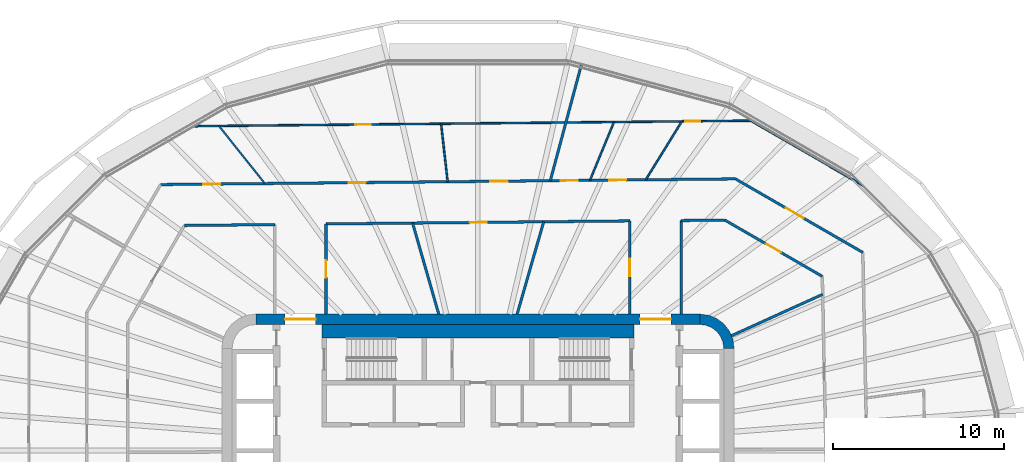
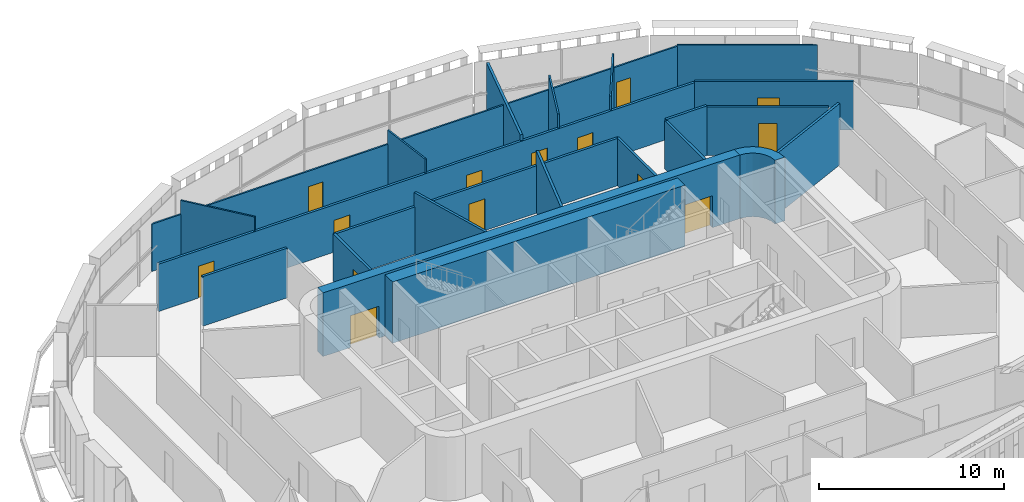
# One storey, part 15 of 23: 22 walls, 14 doors, 14 openings.
"""IFC4 building model written with IfcOpenShell, lengths in metres."""

from ifc_helpers import new_model, si_unit, direction, frame, frame_2d, origin, place, context, subcontext, project, spatial, polyline, rectangle, outline, extrude, material, layer, layer_set, type_object, element, fill, save


model = new_model("IFC4")

# Units and contexts
model_context = context("Model", 3, precision=1e-05, world=origin(), true_north=direction((0.0, 1.0)))
body_context = subcontext(model_context, "Body", "Model", "MODEL_VIEW")
ifc_project = project(units=[si_unit("LENGTHUNIT", "METRE"), si_unit("AREAUNIT", "SQUARE_METRE"), si_unit("VOLUMEUNIT", "CUBIC_METRE"), si_unit("PLANEANGLEUNIT", "RADIAN"), si_unit("MASSUNIT", "GRAM", prefix="KILO")], contexts=[model_context])

# Site, building, storey
site_placement = place(None, origin())
site = spatial("IfcSite", under=ifc_project, at=site_placement, CompositionType="ELEMENT")
building_placement = place(site_placement, origin())
building = spatial("IfcBuilding", under=site, at=building_placement, Name="Sahrelin Media Tower", CompositionType="ELEMENT")
storey_placement = place(building_placement, frame((0.0, 0.0, 54.60009765625)))
storey = spatial("IfcBuildingStorey", under=building, at=storey_placement, Name="L08", CompositionType="ELEMENT", Elevation=54.60009765625)

# Wall, openings, doors
ifc_material_1 = material(Name="Concrete C60/75", Category="concrete")
ifc_layer_1 = layer(ifc_material_1, 0.60009765625)
ifc_layer_set_1 = layer_set([ifc_layer_1], Name="Core wall 600")
wall_type_1 = type_object("IfcWallType", Name="Core wall 600", PredefinedType="SHEAR", material=ifc_layer_set_1)
wall_1_placement = place(storey_placement, frame((-13.0, 7.699951171875, 0.0), z_axis=(0.0, 0.0, 1.0), x_axis=(1.0, 0.0, 0.0)))
wall_1 = element("IfcWall", 1, at=wall_1_placement, inside=storey, type_object=wall_type_1, Name="Core wall N L08", PredefinedType="SHEAR", context=body_context, shape_type="SweptSolid", body=[
    extrude(rectangle(XDim=26.0, YDim=0.60009765625, at=frame_2d((13.0, 0.0))), origin(), (0.0, 0.0, 1.0), 4.199951171875),
])
opening_1_placement = place(wall_1_placement, frame((1.699951171875, 0.0, 0.0)))
opening_1 = element("IfcOpeningElement", 2, at=opening_1_placement, cuts=wall_1, Name="Opening L08-D19", PredefinedType="OPENING", context=body_context, shape_type="SweptSolid", body=[
    extrude(rectangle(XDim=1.800048828125, YDim=2.10009765625, at=frame_2d((0.89990234375, 1.050048828125))), frame((0.0, 0.300048828125, 0.0), z_axis=(0.0, -1.0, 0.0), x_axis=(1.0, 0.0, 0.0)), (0.0, 0.0, 1.0), 0.60009765625),
])
opening_2_placement = place(wall_1_placement, frame((22.5, 0.0, 0.0)))
opening_2 = element("IfcOpeningElement", 3, at=opening_2_placement, cuts=wall_1, Name="Opening L08-D20", PredefinedType="OPENING", context=body_context, shape_type="SweptSolid", body=[
    extrude(rectangle(XDim=1.800048828125, YDim=2.10009765625, at=frame_2d((0.89990234375, 1.050048828125))), frame((0.0, 0.300048828125, 0.0), z_axis=(0.0, -1.0, 0.0), x_axis=(1.0, 0.0, 0.0)), (0.0, 0.0, 1.0), 0.60009765625),
])
ifc_material_2 = material(Name="Steel fire door leaf", Category="steel")
door_type_1 = type_object("IfcDoorType", Name="Lobby double door 1800 x 2100 EI 60", OperationType="DOUBLE_DOOR_SINGLE_SWING", PredefinedType="DOOR", material=ifc_material_2)
door_1_placement = place(opening_1_placement, origin())
door_1 = element("IfcDoor", 4, at=door_1_placement, inside=storey, type_object=door_type_1, Name="Lobby door", OperationType="DOUBLE_DOOR_SINGLE_SWING", OverallHeight=2.10009765625, OverallWidth=1.800048828125, PredefinedType="DOOR", context=body_context, shape_type="SweptSolid", body=[
    extrude(rectangle(XDim=1.800048828125, YDim=2.10009765625, at=frame_2d((0.89990234375, 1.050048828125))), frame((0.0, 0.02490234375, 0.0), z_axis=(0.0, -1.0, 0.0), x_axis=(1.0, 0.0, 0.0)), (0.0, 0.0, 1.0), 0.050048828125),
])
fill(opening_1, door_1)
door_2_placement = place(opening_2_placement, origin())
door_2 = element("IfcDoor", 5, at=door_2_placement, inside=storey, type_object=door_type_1, Name="Lobby door", OperationType="DOUBLE_DOOR_SINGLE_SWING", OverallHeight=2.10009765625, OverallWidth=1.800048828125, PredefinedType="DOOR", context=body_context, shape_type="SweptSolid", body=[
    extrude(rectangle(XDim=1.800048828125, YDim=2.10009765625, at=frame_2d((0.89990234375, 1.050048828125))), frame((0.0, 0.02490234375, 0.0), z_axis=(0.0, -1.0, 0.0), x_axis=(1.0, 0.0, 0.0)), (0.0, 0.0, 1.0), 0.050048828125),
])
fill(opening_2, door_2)

# Walls
wall_2_placement = place(storey_placement, origin())
element("IfcWall", 6, at=wall_2_placement, inside=storey, type_object=wall_type_1, Name="Core wall corner NE L08", PredefinedType="SHEAR", context=body_context, shape_type="SweptSolid", body=[
    extrude(outline(polyline([(13.0, 8.0), (13.0, 7.394775390625), (13.361083984375, 7.347412109375), (13.697509765625, 7.2080078125), (13.986328125, 6.986328125), (14.2080078125, 6.697509765625), (14.347412109375, 6.361083984375), (14.394775390625, 6.0), (15.0, 6.0), (14.931884765625, 6.517578125), (14.732177734375, 7.0), (14.414306640625, 7.414306640625), (14.0, 7.732177734375), (13.517578125, 7.931884765625), (13.0, 8.0)])), origin(), (0.0, 0.0, 1.0), 4.199951171875),
])
ifc_material_3 = material(Name="Fire-rated gypsum board partition")
ifc_layer_2 = layer(ifc_material_3, 0.14990234375)
ifc_layer_set_2 = layer_set([ifc_layer_2], Name="Fire-rated partition 150")
wall_type_2 = type_object("IfcWallType", Name="Fire-rated partition 150", PredefinedType="PARTITIONING", material=ifc_layer_set_2)
wall_3_placement = place(storey_placement, frame((-3.826904296875, 13.3330078125, 0.0), z_axis=(0.0, 0.0, 1.0), x_axis=(0.275935525478, -0.961176147113, 0.0)))
element("IfcWall", 7, at=wall_3_placement, inside=storey, type_object=wall_type_2, Name="Wall", PredefinedType="PARTITIONING", context=body_context, shape_type="SweptSolid", body=[
    extrude(rectangle(XDim=5.54833984375, YDim=0.14990234375, at=frame_2d((2.774169921875, 0.0))), origin(), (0.0, 0.0, 1.0), 4.0498046875),
])

# Wall, opening, door
wall_4_placement = place(storey_placement, frame((14.447998046875, 13.514892578125, 0.0), z_axis=(0.0, 0.0, 1.0), x_axis=(0.865975016585, -0.500087263036, 0.0)))
wall_4 = element("IfcWall", 8, at=wall_4_placement, inside=storey, type_object=wall_type_2, Name="Wall", PredefinedType="PARTITIONING", context=body_context, shape_type="SweptSolid", body=[
    extrude(rectangle(XDim=6.603759765625, YDim=0.14990234375, at=frame_2d((3.3017578125, 0.0))), origin(), (0.0, 0.0, 1.0), 3.19482421875),
])
opening_3_placement = place(wall_4_placement, frame((2.8037109375, 0.0, 0.0)))
opening_3 = element("IfcOpeningElement", 9, at=opening_3_placement, cuts=wall_4, Name="Opening L08-D29", PredefinedType="OPENING", context=body_context, shape_type="SweptSolid", body=[
    extrude(rectangle(XDim=1.0, YDim=2.10009765625, at=frame_2d((0.5, 1.050048828125))), frame((0.0, 0.074951171875, 0.0), z_axis=(0.0, -1.0, 0.0), x_axis=(1.0, 0.0, 0.0)), (0.0, 0.0, 1.0), 0.14990234375),
])
door_type_2 = type_object("IfcDoorType", Name="Fire door 1000 x 2100 EI 60", OperationType="NOTDEFINED", PredefinedType="DOOR", material=ifc_material_2)
door_3_placement = place(opening_3_placement, origin())
door_3 = element("IfcDoor", 10, at=door_3_placement, inside=storey, type_object=door_type_2, Name="Fire door", OperationType="SINGLE_SWING_LEFT", OverallHeight=2.10009765625, OverallWidth=1.0, PredefinedType="DOOR", context=body_context, shape_type="SweptSolid", body=[
    extrude(rectangle(XDim=1.0, YDim=2.10009765625, at=frame_2d((0.5, 1.050048828125))), frame((0.0, 0.02490234375, 0.0), z_axis=(0.0, -1.0, 0.0), x_axis=(1.0, 0.0, 0.0)), (0.0, 0.0, 1.0), 0.050048828125),
])
fill(opening_3, door_3)

wall_5_placement = place(storey_placement, frame((15.080078125, 15.9208984375, 0.0), z_axis=(0.0, 0.0, 1.0), x_axis=(0.865969836028, -0.500096233828, 0.0)))
wall_5 = element("IfcWall", 11, at=wall_5_placement, inside=storey, type_object=wall_type_2, Name="Wall", PredefinedType="PARTITIONING", context=body_context, shape_type="SweptSolid", body=[
    extrude(rectangle(XDim=8.612548828125, YDim=0.14990234375, at=frame_2d((4.30615234375, 0.0))), origin(), (0.0, 0.0, 1.0), 3.19482421875),
])
opening_4_placement = place(wall_5_placement, frame((3.4091796875, 0.0, 0.0)))
opening_4 = element("IfcOpeningElement", 12, at=opening_4_placement, cuts=wall_5, Name="Opening L08-D38", PredefinedType="OPENING", context=body_context, shape_type="SweptSolid", body=[
    extrude(rectangle(XDim=1.199951171875, YDim=2.10009765625, at=frame_2d((0.60009765625, 1.050048828125))), frame((0.0, 0.074951171875, 0.0), z_axis=(0.0, -1.0, 0.0), x_axis=(1.0, 0.0, 0.0)), (0.0, 0.0, 1.0), 0.14990234375),
])
door_type_3 = type_object("IfcDoorType", Name="Service double door 1200 x 2100 EI 60", OperationType="DOUBLE_DOOR_SINGLE_SWING", PredefinedType="DOOR", material=ifc_material_2)
door_4_placement = place(opening_4_placement, origin())
door_4 = element("IfcDoor", 13, at=door_4_placement, inside=storey, type_object=door_type_3, Name="Service double door", OperationType="DOUBLE_DOOR_SINGLE_SWING", OverallHeight=2.10009765625, OverallWidth=1.199951171875, PredefinedType="DOOR", context=body_context, shape_type="SweptSolid", body=[
    extrude(rectangle(XDim=1.199951171875, YDim=2.10009765625, at=frame_2d((0.60009765625, 1.050048828125))), frame((0.0, 0.02490234375, 0.0), z_axis=(0.0, -1.0, 0.0), x_axis=(1.0, 0.0, 0.0)), (0.0, 0.0, 1.0), 0.050048828125),
])
fill(opening_4, door_4)

# Wall
wall_6_placement = place(storey_placement, frame((-17.194091796875, 13.19091796875, 0.0), z_axis=(0.0, 0.0, 1.0), x_axis=(0.999950853109, 0.009914200296, 0.0)))
element("IfcWall", 14, at=wall_6_placement, inside=storey, type_object=wall_type_2, Name="Wall", PredefinedType="PARTITIONING", context=body_context, shape_type="SweptSolid", body=[
    extrude(rectangle(XDim=5.29443359375, YDim=0.14990234375, at=frame_2d((2.647216796875, 0.0))), origin(), (0.0, 0.0, 1.0), 3.27587890625),
])

# Wall, opening, door
wall_7_placement = place(storey_placement, frame((-8.89990234375, 13.282470703125, 0.0), z_axis=(0.0, 0.0, 1.0), x_axis=(0.999950834077, 0.009916119672, 0.0)))
wall_7 = element("IfcWall", 15, at=wall_7_placement, inside=storey, type_object=wall_type_2, Name="Wall", PredefinedType="PARTITIONING", context=body_context, shape_type="SweptSolid", body=[
    extrude(rectangle(XDim=17.80078125, YDim=0.14990234375, at=frame_2d((8.900390625, 0.0))), origin(), (0.0, 0.0, 1.0), 3.126953125),
])
opening_5_placement = place(wall_7_placement, frame((8.412109375, 0.0, 0.0)))
opening_5 = element("IfcOpeningElement", 16, at=opening_5_placement, cuts=wall_7, Name="Opening L08-D31", PredefinedType="OPENING", context=body_context, shape_type="SweptSolid", body=[
    extrude(rectangle(XDim=1.0, YDim=2.10009765625, at=frame_2d((0.5, 1.050048828125))), frame((0.0, 0.074951171875, 0.0), z_axis=(0.0, -1.0, 0.0), x_axis=(1.0, 0.0, 0.0)), (0.0, 0.0, 1.0), 0.14990234375),
])
door_5_placement = place(opening_5_placement, origin())
door_5 = element("IfcDoor", 17, at=door_5_placement, inside=storey, type_object=door_type_2, Name="Fire door", OperationType="SINGLE_SWING_LEFT", OverallHeight=2.10009765625, OverallWidth=1.0, PredefinedType="DOOR", context=body_context, shape_type="SweptSolid", body=[
    extrude(rectangle(XDim=1.0, YDim=2.10009765625, at=frame_2d((0.5, 1.050048828125))), frame((0.0, 0.02490234375, 0.0), z_axis=(0.0, -1.0, 0.0), x_axis=(1.0, 0.0, 0.0)), (0.0, 0.0, 1.0), 0.050048828125),
])
fill(opening_5, door_5)

# Wall
wall_8_placement = place(storey_placement, frame((11.89990234375, 13.47998046875, 0.0), z_axis=(0.0, 0.0, 1.0), x_axis=(0.999950357576, 0.009964054536, 0.0)))
element("IfcWall", 18, at=wall_8_placement, inside=storey, type_object=wall_type_2, Name="Wall", PredefinedType="PARTITIONING", context=body_context, shape_type="SweptSolid", body=[
    extrude(rectangle(XDim=2.54833984375, YDim=0.14990234375, at=frame_2d((1.274169921875, 0.0))), origin(), (0.0, 0.0, 1.0), 3.27587890625),
])

# Wall, openings, doors
wall_9_placement = place(storey_placement, frame((-18.5869140625, 15.58642578125, 0.0), z_axis=(0.0, 0.0, 1.0), x_axis=(0.99995087003, 0.009912493396, 0.0)))
wall_9 = element("IfcWall", 19, at=wall_9_placement, inside=storey, type_object=wall_type_2, Name="Wall", PredefinedType="PARTITIONING", context=body_context, shape_type="SweptSolid", body=[
    extrude(rectangle(XDim=33.668701171875, YDim=0.14990234375, at=frame_2d((16.83447265625, 0.0))), origin(), (0.0, 0.0, 1.0), 3.126953125),
])
opening_6_placement = place(wall_9_placement, frame((26.28125, 0.0, 0.0)))
opening_6 = element("IfcOpeningElement", 20, at=opening_6_placement, cuts=wall_9, Name="Opening L08-D39", PredefinedType="OPENING", context=body_context, shape_type="SweptSolid", body=[
    extrude(rectangle(XDim=1.0, YDim=2.10009765625, at=frame_2d((0.5, 1.050048828125))), frame((0.0, 0.074951171875, 0.0), z_axis=(0.0, -1.0, 0.0), x_axis=(1.0, 0.0, 0.0)), (0.0, 0.0, 1.0), 0.14990234375),
])
opening_7_placement = place(wall_9_placement, frame((23.42529296875, 0.0, 0.0)))
opening_7 = element("IfcOpeningElement", 21, at=opening_7_placement, cuts=wall_9, Name="Opening L08-D40", PredefinedType="OPENING", context=body_context, shape_type="SweptSolid", body=[
    extrude(rectangle(XDim=1.0, YDim=2.10009765625, at=frame_2d((0.5, 1.050048828125))), frame((0.0, 0.074951171875, 0.0), z_axis=(0.0, -1.0, 0.0), x_axis=(1.0, 0.0, 0.0)), (0.0, 0.0, 1.0), 0.14990234375),
])
opening_8_placement = place(wall_9_placement, frame((19.318603515625, 0.0, 0.0)))
opening_8 = element("IfcOpeningElement", 22, at=opening_8_placement, cuts=wall_9, Name="Opening L08-D42", PredefinedType="OPENING", context=body_context, shape_type="SweptSolid", body=[
    extrude(rectangle(XDim=1.0, YDim=2.10009765625, at=frame_2d((0.5, 1.050048828125))), frame((0.0, 0.074951171875, 0.0), z_axis=(0.0, -1.0, 0.0), x_axis=(1.0, 0.0, 0.0)), (0.0, 0.0, 1.0), 0.14990234375),
])
opening_9_placement = place(wall_9_placement, frame((11.010498046875, 0.0, 0.0)))
opening_9 = element("IfcOpeningElement", 23, at=opening_9_placement, cuts=wall_9, Name="Opening L08-D43", PredefinedType="OPENING", context=body_context, shape_type="SweptSolid", body=[
    extrude(rectangle(XDim=1.0, YDim=2.10009765625, at=frame_2d((0.5, 1.050048828125))), frame((0.0, 0.074951171875, 0.0), z_axis=(0.0, -1.0, 0.0), x_axis=(1.0, 0.0, 0.0)), (0.0, 0.0, 1.0), 0.14990234375),
])
opening_10_placement = place(wall_9_placement, frame((2.50390625, 0.0, 0.0)))
opening_10 = element("IfcOpeningElement", 24, at=opening_10_placement, cuts=wall_9, Name="Opening L08-D44", PredefinedType="OPENING", context=body_context, shape_type="SweptSolid", body=[
    extrude(rectangle(XDim=1.0, YDim=2.10009765625, at=frame_2d((0.5, 1.050048828125))), frame((0.0, 0.074951171875, 0.0), z_axis=(0.0, -1.0, 0.0), x_axis=(1.0, 0.0, 0.0)), (0.0, 0.0, 1.0), 0.14990234375),
])
door_6_placement = place(opening_6_placement, origin())
door_6 = element("IfcDoor", 25, at=door_6_placement, inside=storey, type_object=door_type_2, Name="Fire door", OperationType="SINGLE_SWING_RIGHT", OverallHeight=2.10009765625, OverallWidth=1.0, PredefinedType="DOOR", context=body_context, shape_type="SweptSolid", body=[
    extrude(rectangle(XDim=1.0, YDim=2.10009765625, at=frame_2d((0.5, 1.050048828125))), frame((0.0, 0.02490234375, 0.0), z_axis=(0.0, -1.0, 0.0), x_axis=(1.0, 0.0, 0.0)), (0.0, 0.0, 1.0), 0.050048828125),
])
fill(opening_6, door_6)
door_7_placement = place(opening_7_placement, origin())
door_7 = element("IfcDoor", 26, at=door_7_placement, inside=storey, type_object=door_type_2, Name="Fire door", OperationType="SINGLE_SWING_RIGHT", OverallHeight=2.10009765625, OverallWidth=1.0, PredefinedType="DOOR", context=body_context, shape_type="SweptSolid", body=[
    extrude(rectangle(XDim=1.0, YDim=2.10009765625, at=frame_2d((0.5, 1.050048828125))), frame((0.0, 0.02490234375, 0.0), z_axis=(0.0, -1.0, 0.0), x_axis=(1.0, 0.0, 0.0)), (0.0, 0.0, 1.0), 0.050048828125),
])
fill(opening_7, door_7)
door_8_placement = place(opening_8_placement, origin())
door_8 = element("IfcDoor", 27, at=door_8_placement, inside=storey, type_object=door_type_2, Name="Fire door", OperationType="SINGLE_SWING_RIGHT", OverallHeight=2.10009765625, OverallWidth=1.0, PredefinedType="DOOR", context=body_context, shape_type="SweptSolid", body=[
    extrude(rectangle(XDim=1.0, YDim=2.10009765625, at=frame_2d((0.5, 1.050048828125))), frame((0.0, 0.02490234375, 0.0), z_axis=(0.0, -1.0, 0.0), x_axis=(1.0, 0.0, 0.0)), (0.0, 0.0, 1.0), 0.050048828125),
])
fill(opening_8, door_8)
door_9_placement = place(opening_9_placement, origin())
door_9 = element("IfcDoor", 28, at=door_9_placement, inside=storey, type_object=door_type_2, Name="Fire door", OperationType="SINGLE_SWING_LEFT", OverallHeight=2.10009765625, OverallWidth=1.0, PredefinedType="DOOR", context=body_context, shape_type="SweptSolid", body=[
    extrude(rectangle(XDim=1.0, YDim=2.10009765625, at=frame_2d((0.5, 1.050048828125))), frame((0.0, 0.02490234375, 0.0), z_axis=(0.0, -1.0, 0.0), x_axis=(1.0, 0.0, 0.0)), (0.0, 0.0, 1.0), 0.050048828125),
])
fill(opening_9, door_9)
door_10_placement = place(opening_10_placement, origin())
door_10 = element("IfcDoor", 29, at=door_10_placement, inside=storey, type_object=door_type_2, Name="Fire door", OperationType="SINGLE_SWING_LEFT", OverallHeight=2.10009765625, OverallWidth=1.0, PredefinedType="DOOR", context=body_context, shape_type="SweptSolid", body=[
    extrude(rectangle(XDim=1.0, YDim=2.10009765625, at=frame_2d((0.5, 1.050048828125))), frame((0.0, 0.02490234375, 0.0), z_axis=(0.0, -1.0, 0.0), x_axis=(1.0, 0.0, 0.0)), (0.0, 0.0, 1.0), 0.050048828125),
])
fill(opening_10, door_10)

# Walls
wall_10_placement = place(storey_placement, frame((14.843017578125, 6.73291015625, 0.0), z_axis=(0.0, 0.0, 1.0), x_axis=(0.910628361306, 0.413226315214, 0.0)))
element("IfcWall", 30, at=wall_10_placement, inside=storey, type_object=wall_type_2, Name="Wall", PredefinedType="PARTITIONING", context=body_context, shape_type="SweptSolid", body=[
    extrude(rectangle(XDim=5.870361328125, YDim=0.14990234375, at=frame_2d((2.93505859375, 0.0))), origin(), (0.0, 0.0, 1.0), 4.0498046875),
])
wall_11_placement = place(storey_placement, frame((2.2958984375, 8.0, 0.0), z_axis=(0.0, 0.0, 1.0), x_axis=(0.275958345059, 0.961169595749, 0.0)))
element("IfcWall", 31, at=wall_11_placement, inside=storey, type_object=wall_type_2, Name="Wall", PredefinedType="PARTITIONING", context=body_context, shape_type="SweptSolid", body=[
    extrude(rectangle(XDim=5.62841796875, YDim=0.14990234375, at=frame_2d((2.814208984375, 0.0))), origin(), (0.0, 0.0, 1.0), 4.0498046875),
])
wall_12_placement = place(storey_placement, frame((4.237060546875, 15.81298828125, 0.0), z_axis=(0.0, 0.0, 1.0), x_axis=(0.258871033447, 0.965911894555, 0.0)))
element("IfcWall", 32, at=wall_12_placement, inside=storey, type_object=wall_type_2, Name="Wall", PredefinedType="PARTITIONING", context=body_context, shape_type="SweptSolid", body=[
    extrude(rectangle(XDim=7.053466796875, YDim=0.14990234375, at=frame_2d((3.52685546875, 0.0))), origin(), (0.0, 0.0, 1.0), 3.50146484375),
])
wall_13_placement = place(storey_placement, frame((11.89990234375, 8.0, 0.0), z_axis=(0.0, 0.0, 1.0), x_axis=(0.0, 1.0, 0.0)))
element("IfcWall", 33, at=wall_13_placement, inside=storey, type_object=wall_type_2, Name="Wall", PredefinedType="PARTITIONING", context=body_context, shape_type="SweptSolid", body=[
    extrude(rectangle(XDim=5.47900390625, YDim=0.14990234375, at=frame_2d((2.739501953125, 0.0))), origin(), (0.0, 0.0, 1.0), 3.19482421875),
])

# Wall, opening, door
wall_14_placement = place(storey_placement, frame((8.89990234375, 8.0, 0.0), z_axis=(0.0, 0.0, 1.0), x_axis=(0.0, 1.0, 0.0)))
wall_14 = element("IfcWall", 34, at=wall_14_placement, inside=storey, type_object=wall_type_2, Name="Wall", PredefinedType="PARTITIONING", context=body_context, shape_type="SweptSolid", body=[
    extrude(rectangle(XDim=5.4599609375, YDim=0.14990234375, at=frame_2d((2.72998046875, 0.0))), origin(), (0.0, 0.0, 1.0), 3.126953125),
])
opening_11_placement = place(wall_14_placement, frame((2.22998046875, 0.0, 0.0)))
opening_11 = element("IfcOpeningElement", 35, at=opening_11_placement, cuts=wall_14, Name="Opening L08-D30", PredefinedType="OPENING", context=body_context, shape_type="SweptSolid", body=[
    extrude(rectangle(XDim=1.0, YDim=2.10009765625, at=frame_2d((0.5, 1.050048828125))), frame((0.0, 0.074951171875, 0.0), z_axis=(0.0, -1.0, 0.0), x_axis=(1.0, 0.0, 0.0)), (0.0, 0.0, 1.0), 0.14990234375),
])
door_11_placement = place(opening_11_placement, origin())
door_11 = element("IfcDoor", 36, at=door_11_placement, inside=storey, type_object=door_type_2, Name="Fire door", OperationType="SINGLE_SWING_RIGHT", OverallHeight=2.10009765625, OverallWidth=1.0, PredefinedType="DOOR", context=body_context, shape_type="SweptSolid", body=[
    extrude(rectangle(XDim=1.0, YDim=2.10009765625, at=frame_2d((0.5, 1.050048828125))), frame((0.0, 0.02490234375, 0.0), z_axis=(0.0, -1.0, 0.0), x_axis=(1.0, 0.0, 0.0)), (0.0, 0.0, 1.0), 0.050048828125),
])
fill(opening_11, door_11)

wall_15_placement = place(storey_placement, frame((-8.89990234375, 8.0, 0.0), z_axis=(0.0, 0.0, 1.0), x_axis=(0.0, 1.0, 0.0)))
wall_15 = element("IfcWall", 37, at=wall_15_placement, inside=storey, type_object=wall_type_2, Name="Wall", PredefinedType="PARTITIONING", context=body_context, shape_type="SweptSolid", body=[
    extrude(rectangle(XDim=5.282958984375, YDim=0.14990234375, at=frame_2d((2.6416015625, 0.0))), origin(), (0.0, 0.0, 1.0), 3.126953125),
])
opening_12_placement = place(wall_15_placement, frame((2.1416015625, 0.0, 0.0)))
opening_12 = element("IfcOpeningElement", 38, at=opening_12_placement, cuts=wall_15, Name="Opening L08-D32", PredefinedType="OPENING", context=body_context, shape_type="SweptSolid", body=[
    extrude(rectangle(XDim=1.0, YDim=2.10009765625, at=frame_2d((0.5, 1.050048828125))), frame((0.0, 0.074951171875, 0.0), z_axis=(0.0, -1.0, 0.0), x_axis=(1.0, 0.0, 0.0)), (0.0, 0.0, 1.0), 0.14990234375),
])
door_12_placement = place(opening_12_placement, origin())
door_12 = element("IfcDoor", 39, at=door_12_placement, inside=storey, type_object=door_type_2, Name="Fire door", OperationType="SINGLE_SWING_RIGHT", OverallHeight=2.10009765625, OverallWidth=1.0, PredefinedType="DOOR", context=body_context, shape_type="SweptSolid", body=[
    extrude(rectangle(XDim=1.0, YDim=2.10009765625, at=frame_2d((0.5, 1.050048828125))), frame((0.0, 0.02490234375, 0.0), z_axis=(0.0, -1.0, 0.0), x_axis=(1.0, 0.0, 0.0)), (0.0, 0.0, 1.0), 0.050048828125),
])
fill(opening_12, door_12)

# Walls
ifc_material_4 = material(Name="Gypsum board partition")
ifc_layer_3 = layer(ifc_material_4, 0.10009765625)
ifc_layer_set_3 = layer_set([ifc_layer_3], Name="Partition 100")
wall_type_3 = type_object("IfcWallType", Name="Partition 100", PredefinedType="PARTITIONING", material=ifc_layer_set_3)
wall_16_placement = place(storey_placement, frame((-2.157958984375, 19.14990234375, 0.0), z_axis=(0.0, 0.0, 1.0), x_axis=(0.112085765887, -0.993698536321, 0.0)))
element("IfcWall", 40, at=wall_16_placement, inside=storey, type_object=wall_type_3, Name="Wall", PredefinedType="PARTITIONING", context=body_context, shape_type="SweptSolid", body=[
    extrude(rectangle(XDim=3.41748046875, YDim=0.10009765625, at=frame_2d((1.708740234375, 0.0))), origin(), (0.0, 0.0, 1.0), 4.0498046875),
])
wall_17_placement = place(storey_placement, frame((-15.1689453125, 19.02099609375, 0.0), z_axis=(0.0, 0.0, 1.0), x_axis=(0.623493525826, -0.781828512689, 0.0)))
element("IfcWall", 41, at=wall_17_placement, inside=storey, type_object=wall_type_3, Name="Wall", PredefinedType="PARTITIONING", context=body_context, shape_type="SweptSolid", body=[
    extrude(rectangle(XDim=4.314208984375, YDim=0.10009765625, at=frame_2d((2.1572265625, 0.0))), origin(), (0.0, 0.0, 1.0), 4.0498046875),
])
wall_18_placement = place(storey_placement, frame((15.97509765625, 19.330078125, 0.0), z_axis=(0.0, 0.0, 1.0), x_axis=(0.866006425355, -0.500032870163, 0.0)))
element("IfcWall", 42, at=wall_18_placement, inside=storey, type_object=wall_type_3, Name="Wall", PredefinedType="PARTITIONING", context=body_context, shape_type="SweptSolid", body=[
    extrude(rectangle(XDim=7.57958984375, YDim=0.10009765625, at=frame_2d((3.789794921875, 0.0))), origin(), (0.0, 0.0, 1.0), 3.19482421875),
])

# Wall, openings, doors
wall_19_placement = place(storey_placement, frame((-17.013916015625, 19.003173828125, 0.0), z_axis=(0.0, 0.0, 1.0), x_axis=(0.99995097792, 0.009901603787, 0.0)))
wall_19 = element("IfcWall", 43, at=wall_19_placement, inside=storey, type_object=wall_type_3, Name="Wall", PredefinedType="PARTITIONING", context=body_context, shape_type="SweptSolid", body=[
    extrude(rectangle(XDim=32.99072265625, YDim=0.10009765625, at=frame_2d((16.495361328125, 0.0))), origin(), (0.0, 0.0, 1.0), 3.126953125),
])
opening_13_placement = place(wall_19_placement, frame((29.14794921875, 0.0, 0.0)))
opening_13 = element("IfcOpeningElement", 44, at=opening_13_placement, cuts=wall_19, Name="Opening L08-D41", PredefinedType="OPENING", context=body_context, shape_type="SweptSolid", body=[
    extrude(rectangle(XDim=0.89990234375, YDim=2.10009765625, at=frame_2d((0.449951171875, 1.050048828125))), frame((0.0, 0.050048828125, 0.0), z_axis=(0.0, -1.0, 0.0), x_axis=(1.0, 0.0, 0.0)), (0.0, 0.0, 1.0), 0.10009765625),
])
opening_14_placement = place(wall_19_placement, frame((9.830810546875, 0.0, 0.0)))
opening_14 = element("IfcOpeningElement", 45, at=opening_14_placement, cuts=wall_19, Name="Opening L08-D45", PredefinedType="OPENING", context=body_context, shape_type="SweptSolid", body=[
    extrude(rectangle(XDim=0.89990234375, YDim=2.10009765625, at=frame_2d((0.449951171875, 1.050048828125))), frame((0.0, 0.050048828125, 0.0), z_axis=(0.0, -1.0, 0.0), x_axis=(1.0, 0.0, 0.0)), (0.0, 0.0, 1.0), 0.10009765625),
])
ifc_material_5 = material(Name="Timber door leaf", Category="wood")
door_type_4 = type_object("IfcDoorType", Name="Single door 900 x 2100", OperationType="NOTDEFINED", PredefinedType="DOOR", material=ifc_material_5)
door_13_placement = place(opening_13_placement, origin())
door_13 = element("IfcDoor", 46, at=door_13_placement, inside=storey, type_object=door_type_4, Name="Single door", OperationType="SINGLE_SWING_LEFT", OverallHeight=2.10009765625, OverallWidth=0.89990234375, PredefinedType="DOOR", context=body_context, shape_type="SweptSolid", body=[
    extrude(rectangle(XDim=0.89990234375, YDim=2.10009765625, at=frame_2d((0.449951171875, 1.050048828125))), frame((0.0, 0.02490234375, 0.0), z_axis=(0.0, -1.0, 0.0), x_axis=(1.0, 0.0, 0.0)), (0.0, 0.0, 1.0), 0.050048828125),
])
fill(opening_13, door_13)
door_14_placement = place(opening_14_placement, origin())
door_14 = element("IfcDoor", 47, at=door_14_placement, inside=storey, type_object=door_type_4, Name="Single door", OperationType="SINGLE_SWING_LEFT", OverallHeight=2.10009765625, OverallWidth=0.89990234375, PredefinedType="DOOR", context=body_context, shape_type="SweptSolid", body=[
    extrude(rectangle(XDim=0.89990234375, YDim=2.10009765625, at=frame_2d((0.449951171875, 1.050048828125))), frame((0.0, 0.02490234375, 0.0), z_axis=(0.0, -1.0, 0.0), x_axis=(1.0, 0.0, 0.0)), (0.0, 0.0, 1.0), 0.050048828125),
])
fill(opening_14, door_14)

# Walls
wall_20_placement = place(storey_placement, frame((9.826904296875, 15.868896484375, 0.0), z_axis=(0.0, 0.0, 1.0), x_axis=(0.526586421173, 0.850121603675, 0.0)))
element("IfcWall", 48, at=wall_20_placement, inside=storey, type_object=wall_type_3, Name="Wall", PredefinedType="PARTITIONING", context=body_context, shape_type="SweptSolid", body=[
    extrude(rectangle(XDim=4.0244140625, YDim=0.10009765625, at=frame_2d((2.01220703125, 0.0))), origin(), (0.0, 0.0, 1.0), 4.0498046875),
])
wall_21_placement = place(storey_placement, frame((6.553955078125, 15.8359375, 0.0), z_axis=(0.0, 0.0, 1.0), x_axis=(0.382344013287, 0.924020051462, 0.0)))
element("IfcWall", 49, at=wall_21_placement, inside=storey, type_object=wall_type_3, Name="Wall", PredefinedType="PARTITIONING", context=body_context, shape_type="SweptSolid", body=[
    extrude(rectangle(XDim=3.69580078125, YDim=0.10009765625, at=frame_2d((1.847900390625, 0.0))), origin(), (0.0, 0.0, 1.0), 4.0498046875),
])
ifc_layer_4 = layer(ifc_material_1, 0.800048828125)
ifc_layer_set_4 = layer_set([ifc_layer_4], Name="Stair enclosure wall 800")
wall_type_4 = type_object("IfcWallType", Name="Stair enclosure wall 800", PredefinedType="SOLIDWALL", material=ifc_layer_set_4)
wall_22_placement = place(storey_placement, frame((-9.125, 7.0, 0.0), z_axis=(0.0, 0.0, 1.0), x_axis=(1.0, 0.0, 0.0)))
element("IfcWall", 50, at=wall_22_placement, inside=storey, type_object=wall_type_4, Name="Stair enclosure wall", PredefinedType="SOLIDWALL", context=body_context, shape_type="SweptSolid", body=[
    extrude(rectangle(XDim=18.25, YDim=0.800048828125, at=frame_2d((9.125, 0.0))), origin(), (0.0, 0.0, 1.0), 4.0498046875),
])

save(model, "model.ifc")
